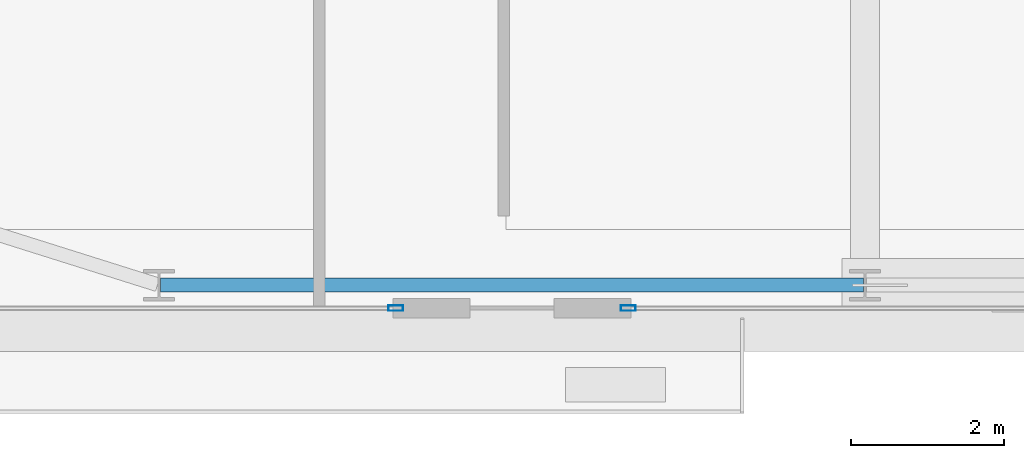
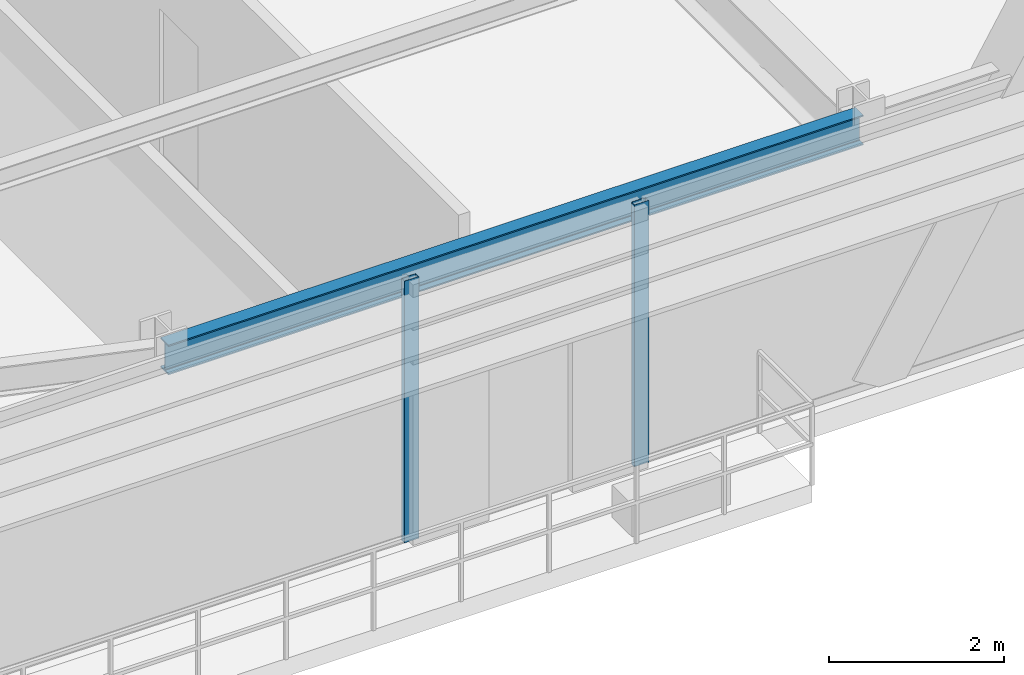
# One storey, part 5 of 34: 2 members, 1 beam, 2 elements without a shape of their own.
"""IFC4 building model written with IfcOpenShell, lengths in metres."""

from ifc_helpers import new_model, si_unit, direction, frame, origin, origin_2d, place, context, subcontext, project, spatial, hollow_rectangle, i_section, extrude, source, transform, mapped, material, layer, layer_set, material_profile, profile_set, type_object, type_shapes, element, aggregate, save


model = new_model("IFC4")

# Units and contexts
model_context = context("Model", 3, precision=1e-05, world=origin(), true_north=direction((0.0, 1.0)))
body_context = subcontext(model_context, "Body", "Model", "MODEL_VIEW")
ifc_project = project(units=[si_unit("LENGTHUNIT", "METRE"), si_unit("AREAUNIT", "SQUARE_METRE"), si_unit("VOLUMEUNIT", "CUBIC_METRE"), si_unit("PLANEANGLEUNIT", "RADIAN"), si_unit("MASSUNIT", "GRAM", prefix="KILO")], contexts=[model_context])

# Site, building, storey
site_placement = place(None, origin())
site = spatial("IfcSite", under=ifc_project, at=site_placement, CompositionType="ELEMENT")
building_placement = place(site_placement, origin())
building = spatial("IfcBuilding", under=site, at=building_placement, Name="Varnel Quay Broadcast Tower", CompositionType="ELEMENT")
storey_placement = place(building_placement, frame((0.0, 0.0, 27.60009765625)))
storey = spatial("IfcBuildingStorey", under=building, at=storey_placement, Name="L05", CompositionType="ELEMENT", Elevation=27.60009765625)

# Beam
ifc_material_1 = material(Name="Structural Steel CSA G40.21 350W", Category="steel")
ifc_material_profile_1 = material_profile(ifc_material_1, i_section(OverallWidth=0.180908203125, OverallDepth=0.4169921875, WebThickness=0.010986328125, FlangeThickness=0.018310546875, FilletRadius=0.011962890625, at=origin_2d()), Name="W410X85")
ifc_profile_set_1 = profile_set([ifc_material_profile_1], Name="Structural Steel CSA G40.21 350W")
beam_type = type_object("IfcBeamType", Name="Beam_W410X85", PredefinedType="SPANDREL", material=ifc_profile_set_1)
shared_shape_1 = source(origin(), body_context, "Body", "SweptSolid", [
    extrude(i_section(OverallWidth=0.180908203125, OverallDepth=0.4169921875, WebThickness=0.010986328125, FlangeThickness=0.018310546875, FilletRadius=0.011962890625, at=origin_2d()), origin(), (0.0, 0.0, 1.0), 9.159912109375),
])
type_shapes(beam_type, [shared_shape_1])
beam_placement = place(storey_placement, frame((15.6201171875, 1.64990234375, 3.44140625), z_axis=(1.0, 0.0, 0.0), x_axis=(0.0, 1.0, 0.0)))
element("IfcBeam", 1, at=beam_placement, inside=storey, type_object=beam_type, Name="L05 South Spandrel TC-S1-TC-S2", PredefinedType="SPANDREL", context=body_context, shape_type="MappedRepresentation", body=[
    mapped(shared_shape_1, transform((0.0, 0.0, 0.0), x_axis=(1.0, 0.0, 0.0), y_axis=(0.0, 1.0, 0.0), z_axis=(0.0, 0.0, 1.0), scale=1.0)),
])

# Curtain wall, member
ifc_material_2 = material(Name="Anodised Bronze Aluminium 6063-T6", Category="aluminium")
ifc_layer = layer(ifc_material_2, 0.18994140625, Name="Anodised Bronze Aluminium 6063-T6")
ifc_layer_set = layer_set([ifc_layer], Name="Anodised Bronze Aluminium 6063-T6")
curtain_wall_type = type_object("IfcCurtainWallType", Name="CW_LowerTower", PredefinedType="NOTDEFINED", material=ifc_layer_set)
curtain_wall_1_placement = place(storey_placement, origin())
curtain_wall_1 = element("IfcCurtainWall", 2, at=curtain_wall_1_placement, inside=storey, type_object=curtain_wall_type, Name="L05 South Unitised Curtain Wall 1", PredefinedType="NOTDEFINED")
ifc_material_profile_2 = material_profile(ifc_material_2, hollow_rectangle(XDim=0.070068359375, YDim=0.18994140625, WallThickness=0.00390625, at=origin_2d()), Name="ALU70X190X4")
ifc_profile_set_2 = profile_set([ifc_material_profile_2], Name="Anodised Bronze Aluminium 6063-T6")
member_type = type_object("IfcMemberType", Name="Mull_CWS-02", PredefinedType="MULLION", material=ifc_profile_set_2)
shared_shape_2 = source(origin(), body_context, "Body", "SweptSolid", [
    extrude(hollow_rectangle(XDim=0.070068359375, YDim=0.18994140625, WallThickness=0.00390625, at=origin_2d()), origin(), (0.0, 0.0, 1.0), 3.64990234375),
])
type_shapes(member_type, [shared_shape_2])
member_1_placement = place(storey_placement, frame((18.68505859375, 1.35009765625, 0.0), z_axis=(0.0, 0.0, 1.0), x_axis=(0.0, 1.0, 0.0)))
member_1 = element("IfcMember", 3, at=member_1_placement, type_object=member_type, Name="CWS-02 mullion 2", PredefinedType="MULLION", context=body_context, shape_type="MappedRepresentation", body=[
    mapped(shared_shape_2, transform((0.0, 0.0, 0.0), x_axis=(1.0, 0.0, 0.0), y_axis=(0.0, 1.0, 0.0), z_axis=(0.0, 0.0, 1.0), scale=1.0)),
])
aggregate(curtain_wall_1, [member_1])

curtain_wall_2_placement = place(storey_placement, origin())
curtain_wall_2 = element("IfcCurtainWall", 4, at=curtain_wall_2_placement, inside=storey, type_object=curtain_wall_type, Name="L05 South Unitised Curtain Wall 2", PredefinedType="NOTDEFINED")
member_2_placement = place(storey_placement, frame((21.715087890625, 1.35009765625, 0.0), z_axis=(0.0, 0.0, 1.0), x_axis=(0.0, 1.0, 0.0)))
member_2 = element("IfcMember", 5, at=member_2_placement, type_object=member_type, Name="CWS-02 mullion 1", PredefinedType="MULLION", context=body_context, shape_type="MappedRepresentation", body=[
    mapped(shared_shape_2, transform((0.0, 0.0, 0.0), x_axis=(1.0, 0.0, 0.0), y_axis=(0.0, 1.0, 0.0), z_axis=(0.0, 0.0, 1.0), scale=1.0)),
])
aggregate(curtain_wall_2, [member_2])

save(model, "model.ifc")
